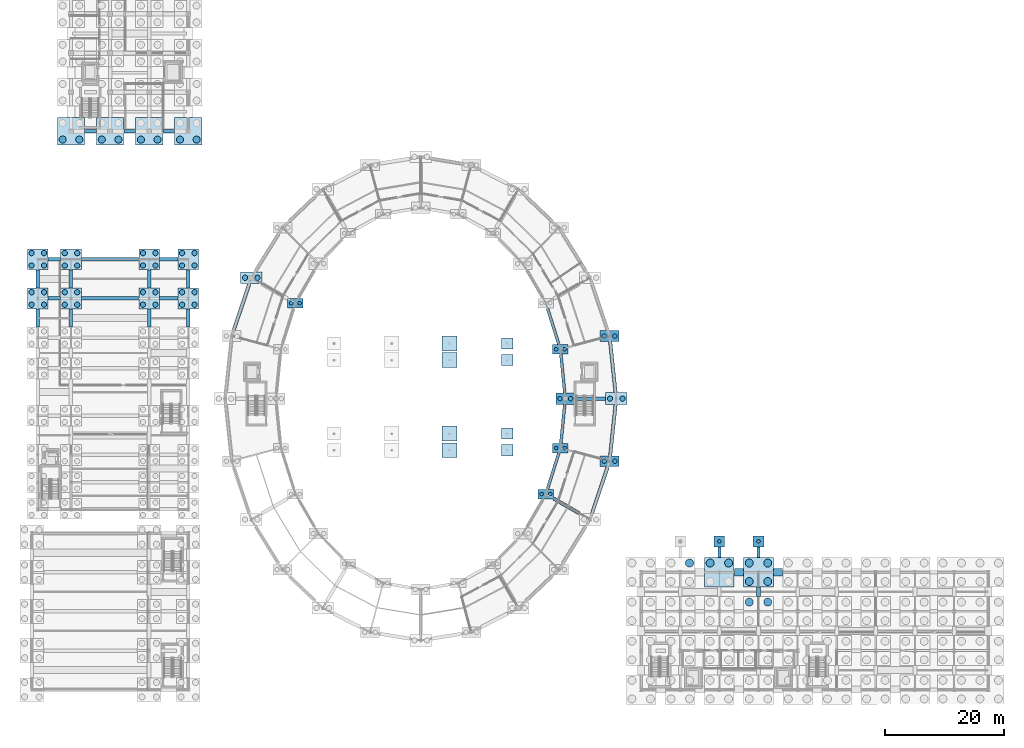
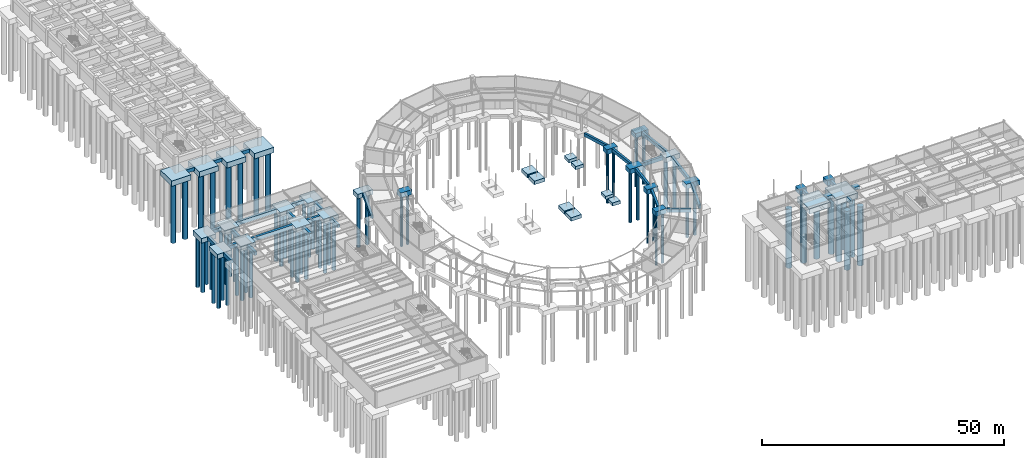
# One storey, part 4 of 58: 69 piles, 65 footings.
"""IFC4 building model written with IfcOpenShell, lengths in metres."""

from ifc_helpers import new_model, si_unit, direction, frame, origin, origin_2d, place, context, subcontext, project, spatial, rectangle, circle, extrude, material, material_profile, profile_set, type_object, element, save


model = new_model("IFC4")

# Units and contexts
model_context = context("Model", 3, precision=1e-05, world=origin(), true_north=direction((0.0, 1.0)))
body_context = subcontext(model_context, "Body", "Model", "MODEL_VIEW")
ifc_project = project(units=[si_unit("LENGTHUNIT", "METRE"), si_unit("AREAUNIT", "SQUARE_METRE"), si_unit("VOLUMEUNIT", "CUBIC_METRE"), si_unit("PLANEANGLEUNIT", "RADIAN"), si_unit("MASSUNIT", "GRAM", prefix="KILO")], contexts=[model_context])

# Site, building, storey
site_placement = place(None, origin())
site = spatial("IfcSite", under=ifc_project, at=site_placement, CompositionType="ELEMENT")
building_placement = place(site_placement, origin())
building = spatial("IfcBuilding", under=site, at=building_placement, Name="Karori Crest Natural Sciences Institute", CompositionType="ELEMENT")
storey_placement = place(building_placement, frame((0.0, 0.0, -4.199951171875)))
storey = spatial("IfcBuildingStorey", under=building, at=storey_placement, Name="B1", CompositionType="ELEMENT", Elevation=-4.199951171875)

# Footings
ifc_material = material(Name="Concrete 40 MPa", Category="concrete")
footing_type_1 = type_object("IfcFootingType", Name="FT-01", PredefinedType="PILE_CAP", material=ifc_material)
for number, where, z_axis, x_axis, name in (
    (1, (116.800048828125, 25.800048828125, -1.2001953125), (0.0, 0.0, 1.0), (1.0, 0.0, 0.0), "Pile cap PC-0193"),
    (2, (123.39990234375, 25.800048828125, -1.2001953125), (0.0, 0.0, 1.0), (1.0, 0.0, 0.0), "Pile cap PC-0194"),
):
    element("IfcFooting", number, at=place(storey_placement, frame(where, z_axis=z_axis, x_axis=x_axis)), inside=storey, type_object=footing_type_1, Name=name, PredefinedType="PILE_CAP", context=body_context, shape_type="SweptSolid", body=[
        extrude(rectangle(XDim=1.800048828125, YDim=1.800048828125, at=origin_2d()), origin(), (0.0, 0.0, 1.0), 1.199951171875),
    ])
footing_type_2 = type_object("IfcFootingType", Name="FT-02", PredefinedType="PILE_CAP", material=ifc_material)
for number, where, z_axis, x_axis, name in (
    (3, (89.968505859375, 58.23388671875, -1.2001953125), (0.0, 0.0, 1.0), (1.0, 0.0, 0.0), "Pile cap PC-0004"),
    (4, (45.26904296875, 66.0, -1.2001953125), (0.0, 0.0, 1.0), (1.0, 0.0, 0.0), "Pile cap PC-0022"),
    (5, (87.531005859375, 33.800048828125, -1.2001953125), (0.0, 0.0, 1.0), (1.0, 0.0, 0.0), "Pile cap PC-0046"),
    (6, (89.968505859375, 41.56591796875, -1.2001953125), (0.0, 0.0, 1.0), (1.0, 0.0, 0.0), "Pile cap PC-0048"),
):
    element("IfcFooting", number, at=place(storey_placement, frame(where, z_axis=z_axis, x_axis=x_axis)), inside=storey, type_object=footing_type_2, Name=name, PredefinedType="PILE_CAP", context=body_context, shape_type="SweptSolid", body=[
        extrude(rectangle(XDim=2.60009765625, YDim=1.60009765625, at=origin_2d()), origin(), (0.0, 0.0, 1.0), 1.199951171875),
    ])
footing_type_3 = type_object("IfcFootingType", Name="FT-03", PredefinedType="PILE_CAP", material=ifc_material)
footing_1_placement = place(storey_placement, frame((90.800048828125, 49.89990234375, -1.2001953125), z_axis=(0.0, 0.0, 1.0), x_axis=(1.0, 0.0, 0.0)))
element("IfcFooting", 7, at=footing_1_placement, inside=storey, type_object=footing_type_3, Name="Pile cap PC-0002", PredefinedType="PILE_CAP", context=body_context, shape_type="SweptSolid", body=[
    extrude(rectangle(XDim=3.10009765625, YDim=1.89990234375, at=origin_2d()), origin(), (0.0, 0.0, 1.0), 1.199951171875),
])
footing_type_4 = type_object("IfcFootingType", Name="FT-04", PredefinedType="PILE_CAP", material=ifc_material)
for number, where, z_axis, x_axis, name in (
    (8, (1.800048828125, 66.800048828125, -1.2001953125), (0.0, 0.0, 1.0), (1.0, 0.0, 0.0), "Pile cap PC-0086"),
    (9, (1.800048828125, 73.39990234375, -1.2001953125), (0.0, 0.0, 1.0), (1.0, 0.0, 0.0), "Pile cap PC-0087"),
    (10, (7.39990234375, 66.800048828125, -1.2001953125), (0.0, 0.0, 1.0), (1.0, 0.0, 0.0), "Pile cap PC-0094"),
    (11, (7.39990234375, 73.39990234375, -1.2001953125), (0.0, 0.0, 1.0), (1.0, 0.0, 0.0), "Pile cap PC-0095"),
    (12, (20.60009765625, 66.800048828125, -1.2001953125), (0.0, 0.0, 1.0), (1.0, 0.0, 0.0), "Pile cap PC-0102"),
    (13, (20.60009765625, 73.39990234375, -1.2001953125), (0.0, 0.0, 1.0), (1.0, 0.0, 0.0), "Pile cap PC-0103"),
    (14, (27.199951171875, 66.800048828125, -1.2001953125), (0.0, 0.0, 1.0), (1.0, 0.0, 0.0), "Pile cap PC-0110"),
    (15, (27.199951171875, 73.39990234375, -1.2001953125), (0.0, 0.0, 1.0), (1.0, 0.0, 0.0), "Pile cap PC-0111"),
):
    element("IfcFooting", number, at=place(storey_placement, frame(where, z_axis=z_axis, x_axis=x_axis)), inside=storey, type_object=footing_type_4, Name=name, PredefinedType="PILE_CAP", context=body_context, shape_type="SweptSolid", body=[
        extrude(rectangle(XDim=3.5, YDim=3.5, at=origin_2d()), origin(), (0.0, 0.0, 1.0), 1.199951171875),
    ])
footing_type_5 = type_object("IfcFootingType", Name="FT-07", PredefinedType="PILE_CAP", material=ifc_material)
for number, where, z_axis, x_axis, name in (
    (16, (98.275634765625, 60.459716796875, -1.2001953125), (0.0, 0.0, 1.0), (1.0, 0.0, 0.0), "Pile cap PC-0003"),
    (17, (98.275634765625, 39.340087890625, -1.2001953125), (0.0, 0.0, 1.0), (1.0, 0.0, 0.0), "Pile cap PC-0047"),
):
    element("IfcFooting", number, at=place(storey_placement, frame(where, z_axis=z_axis, x_axis=x_axis)), inside=storey, type_object=footing_type_5, Name=name, PredefinedType="PILE_CAP", context=body_context, shape_type="SweptSolid", body=[
        extrude(rectangle(XDim=3.199951171875, YDim=1.800048828125, at=origin_2d()), origin(), (0.0, 0.0, 1.0), 1.199951171875),
    ])
footing_type_6 = type_object("IfcFootingType", Name="FT-08", PredefinedType="PILE_CAP", material=ifc_material)
for number, where, z_axis, x_axis, name in (
    (18, (99.39990234375, 49.89990234375, -1.2001953125), (0.0, 0.0, 1.0), (1.0, 0.0, 0.0), "Pile cap PC-0001"),
    (19, (37.8212890625, 70.300048828125, -1.2001953125), (0.0, 0.0, 1.0), (1.0, 0.0, 0.0), "Pile cap PC-0021"),
):
    element("IfcFooting", number, at=place(storey_placement, frame(where, z_axis=z_axis, x_axis=x_axis)), inside=storey, type_object=footing_type_6, Name=name, PredefinedType="PILE_CAP", context=body_context, shape_type="SweptSolid", body=[
        extrude(rectangle(XDim=3.60009765625, YDim=2.0, at=origin_2d()), origin(), (0.0, 0.0, 1.0), 1.199951171875),
    ])
footing_type_7 = type_object("IfcFootingType", Name="FT-11", PredefinedType="PILE_CAP", material=ifc_material)
for number, where, z_axis, x_axis, name in (
    (20, (7.39990234375, 95.0, -1.35009765625), (0.0, 0.0, 1.0), (1.0, 0.0, 0.0), "Pile cap PC-0112"),
    (21, (14.0, 95.0, -1.35009765625), (0.0, 0.0, 1.0), (1.0, 0.0, 0.0), "Pile cap PC-0123"),
    (22, (20.60009765625, 95.0, -1.35009765625), (0.0, 0.0, 1.0), (1.0, 0.0, 0.0), "Pile cap PC-0134"),
    (23, (27.199951171875, 95.0, -1.35009765625), (0.0, 0.0, 1.0), (1.0, 0.0, 0.0), "Pile cap PC-0145"),
):
    element("IfcFooting", number, at=place(storey_placement, frame(where, z_axis=z_axis, x_axis=x_axis)), inside=storey, type_object=footing_type_7, Name=name, PredefinedType="PILE_CAP", context=body_context, shape_type="SweptSolid", body=[
        extrude(rectangle(XDim=4.60009765625, YDim=4.60009765625, at=origin_2d()), origin(), (0.0, 0.0, 1.0), 1.35009765625),
    ])
footing_type_8 = type_object("IfcFootingType", Name="FT-12", PredefinedType="PILE_CAP", material=ifc_material)
for number, where, z_axis, x_axis, name in (
    (24, (116.800048828125, 20.60009765625, -1.35009765625), (0.0, 0.0, 1.0), (1.0, 0.0, 0.0), "Pile cap PC-0167"),
    (25, (123.39990234375, 20.60009765625, -1.35009765625), (0.0, 0.0, 1.0), (1.0, 0.0, 0.0), "Pile cap PC-0171"),
):
    element("IfcFooting", number, at=place(storey_placement, frame(where, z_axis=z_axis, x_axis=x_axis)), inside=storey, type_object=footing_type_8, Name=name, PredefinedType="PILE_CAP", context=body_context, shape_type="SweptSolid", body=[
        extrude(rectangle(XDim=5.0, YDim=5.0, at=origin_2d()), origin(), (0.0, 0.0, 1.0), 1.35009765625),
    ])
footing_type_9 = type_object("IfcFootingType", Name="FT-14", PredefinedType="PAD_FOOTING", material=ifc_material)
for number, where, z_axis, x_axis, name in (
    (26, (71.27001953125, 41.199951171875, -0.89990234375), (0.0, 0.0, 1.0), (1.0, 0.0, 0.0), "Pad footing PC-0053"),
    (27, (71.27001953125, 44.0, -0.89990234375), (0.0, 0.0, 1.0), (1.0, 0.0, 0.0), "Pad footing PC-0054"),
    (28, (71.27001953125, 56.39990234375, -0.89990234375), (0.0, 0.0, 1.0), (1.0, 0.0, 0.0), "Pad footing PC-0061"),
    (29, (71.27001953125, 59.199951171875, -0.89990234375), (0.0, 0.0, 1.0), (1.0, 0.0, 0.0), "Pad footing PC-0062"),
):
    element("IfcFooting", number, at=place(storey_placement, frame(where, z_axis=z_axis, x_axis=x_axis)), inside=storey, type_object=footing_type_9, Name=name, PredefinedType="PAD_FOOTING", context=body_context, shape_type="SweptSolid", body=[
        extrude(rectangle(XDim=2.5, YDim=2.5, at=origin_2d()), origin(), (0.0, 0.0, 1.0), 0.89990234375),
    ])
footing_type_10 = type_object("IfcFootingType", Name="FT-15", PredefinedType="PAD_FOOTING", material=ifc_material)
for number, where, z_axis, x_axis, name in (
    (30, (81.010009765625, 41.199951171875, -0.80029296875), (0.0, 0.0, 1.0), (1.0, 0.0, 0.0), "Pad footing PC-0055"),
    (31, (81.010009765625, 44.0, -0.80029296875), (0.0, 0.0, 1.0), (1.0, 0.0, 0.0), "Pad footing PC-0056"),
    (32, (81.010009765625, 56.39990234375, -0.80029296875), (0.0, 0.0, 1.0), (1.0, 0.0, 0.0), "Pad footing PC-0063"),
    (33, (81.010009765625, 59.199951171875, -0.80029296875), (0.0, 0.0, 1.0), (1.0, 0.0, 0.0), "Pad footing PC-0064"),
):
    element("IfcFooting", number, at=place(storey_placement, frame(where, z_axis=z_axis, x_axis=x_axis)), inside=storey, type_object=footing_type_10, Name=name, PredefinedType="PAD_FOOTING", context=body_context, shape_type="SweptSolid", body=[
        extrude(rectangle(XDim=1.89990234375, YDim=1.89990234375, at=origin_2d()), origin(), (0.0, 0.0, 1.0), 0.800048828125),
    ])
footing_type_11 = type_object("IfcFootingType", Name="FT-16", PredefinedType="FOOTING_BEAM", material=ifc_material)
footing_2_placement = place(storey_placement, frame((98.83251953125, 55.22998046875, -0.89990234375), z_axis=(0.0, 0.0, 1.0), x_axis=(-0.105880529632, 0.994378858104, 0.0)))
element("IfcFooting", 34, at=footing_2_placement, inside=storey, type_object=footing_type_11, Name="Ground beam FB-0001", PredefinedType="FOOTING_BEAM", context=body_context, shape_type="SweptSolid", body=[
    extrude(rectangle(XDim=8.61279296875, YDim=0.60009765625, at=origin_2d()), origin(), (0.0, 0.0, 1.0), 0.89990234375),
])
footing_3_placement = place(storey_placement, frame((94.97509765625, 49.89990234375, -0.89990234375), z_axis=(0.0, 0.0, 1.0), x_axis=(1.0, 0.0, 0.0)))
element("IfcFooting", 35, at=footing_3_placement, inside=storey, type_object=footing_type_11, Name="Ground beam FB-0003", PredefinedType="FOOTING_BEAM", context=body_context, shape_type="SweptSolid", body=[
    extrude(rectangle(XDim=5.214111328125, YDim=0.60009765625, at=origin_2d()), origin(), (0.0, 0.0, 1.0), 0.89990234375),
])
for number, where, z_axis, x_axis, name in (
    (36, (36.156005859375, 65.329833984375, -0.89990234375), (0.0, 0.0, 1.0), (0.317678692677, 0.948198422388, 0.0), "Ground beam FB-0026"),
    (37, (96.64404296875, 34.47021484375, -0.89990234375), (0.0, 0.0, 1.0), (0.317678692677, 0.948198422388, 0.0), "Ground beam FB-0056"),
):
    element("IfcFooting", number, at=place(storey_placement, frame(where, z_axis=z_axis, x_axis=x_axis)), inside=storey, type_object=footing_type_11, Name=name, PredefinedType="FOOTING_BEAM", context=body_context, shape_type="SweptSolid", body=[
        extrude(rectangle(XDim=8.13720703125, YDim=0.60009765625, at=origin_2d()), origin(), (0.0, 0.0, 1.0), 0.89990234375),
    ])
footing_4_placement = place(storey_placement, frame((91.02294921875, 31.783935546875, -0.89990234375), z_axis=(0.0, 0.0, 1.0), x_axis=(-0.866024531118, 0.500001511499, 0.0)))
element("IfcFooting", 38, at=footing_4_placement, inside=storey, type_object=footing_type_11, Name="Ground beam FB-0058", PredefinedType="FOOTING_BEAM", context=body_context, shape_type="SweptSolid", body=[
    extrude(rectangle(XDim=4.983642578125, YDim=0.60009765625, at=origin_2d()), origin(), (0.0, 0.0, 1.0), 0.89990234375),
])
footing_5_placement = place(storey_placement, frame((98.83251953125, 44.570068359375, -0.89990234375), z_axis=(0.0, 0.0, 1.0), x_axis=(0.105880529632, 0.994378858104, 0.0)))
element("IfcFooting", 39, at=footing_5_placement, inside=storey, type_object=footing_type_11, Name="Ground beam FB-0059", PredefinedType="FOOTING_BEAM", context=body_context, shape_type="SweptSolid", body=[
    extrude(rectangle(XDim=8.61279296875, YDim=0.60009765625, at=origin_2d()), origin(), (0.0, 0.0, 1.0), 0.89990234375),
])
footing_6_placement = place(storey_placement, frame((1.800048828125, 63.4951171875, -0.89990234375), z_axis=(0.0, 0.0, 1.0), x_axis=(0.0, 1.0, 0.0)))
element("IfcFooting", 40, at=footing_6_placement, inside=storey, type_object=footing_type_11, Name="Ground beam FB-0092", PredefinedType="FOOTING_BEAM", context=body_context, shape_type="SweptSolid", body=[
    extrude(rectangle(XDim=3.073974609375, YDim=0.60009765625, at=origin_2d()), origin(), (0.0, 0.0, 1.0), 0.89990234375),
])
footing_7_placement = place(storey_placement, frame((4.60009765625, 66.800048828125, -0.89990234375), z_axis=(0.0, 0.0, 1.0), x_axis=(1.0, 0.0, 0.0)))
element("IfcFooting", 41, at=footing_7_placement, inside=storey, type_object=footing_type_11, Name="Ground beam FB-0093", PredefinedType="FOOTING_BEAM", context=body_context, shape_type="SweptSolid", body=[
    extrude(rectangle(XDim=2.083984375, YDim=0.60009765625, at=origin_2d()), origin(), (0.0, 0.0, 1.0), 0.89990234375),
])
footing_8_placement = place(storey_placement, frame((1.800048828125, 70.10009765625, -0.89990234375), z_axis=(0.0, 0.0, 1.0), x_axis=(0.0, 1.0, 0.0)))
element("IfcFooting", 42, at=footing_8_placement, inside=storey, type_object=footing_type_11, Name="Ground beam FB-0094", PredefinedType="FOOTING_BEAM", context=body_context, shape_type="SweptSolid", body=[
    extrude(rectangle(XDim=3.06396484375, YDim=0.60009765625, at=origin_2d()), origin(), (0.0, 0.0, 1.0), 0.89990234375),
])
footing_9_placement = place(storey_placement, frame((4.60009765625, 73.39990234375, -0.89990234375), z_axis=(0.0, 0.0, 1.0), x_axis=(1.0, 0.0, 0.0)))
element("IfcFooting", 43, at=footing_9_placement, inside=storey, type_object=footing_type_11, Name="Ground beam FB-0095", PredefinedType="FOOTING_BEAM", context=body_context, shape_type="SweptSolid", body=[
    extrude(rectangle(XDim=2.083984375, YDim=0.60009765625, at=origin_2d()), origin(), (0.0, 0.0, 1.0), 0.89990234375),
])
footing_10_placement = place(storey_placement, frame((7.39990234375, 63.4951171875, -0.89990234375), z_axis=(0.0, 0.0, 1.0), x_axis=(0.0, 1.0, 0.0)))
element("IfcFooting", 44, at=footing_10_placement, inside=storey, type_object=footing_type_11, Name="Ground beam FB-0105", PredefinedType="FOOTING_BEAM", context=body_context, shape_type="SweptSolid", body=[
    extrude(rectangle(XDim=3.073974609375, YDim=0.60009765625, at=origin_2d()), origin(), (0.0, 0.0, 1.0), 0.89990234375),
])
footing_11_placement = place(storey_placement, frame((14.0, 66.800048828125, -0.89990234375), z_axis=(0.0, 0.0, 1.0), x_axis=(1.0, 0.0, 0.0)))
element("IfcFooting", 45, at=footing_11_placement, inside=storey, type_object=footing_type_11, Name="Ground beam FB-0106", PredefinedType="FOOTING_BEAM", context=body_context, shape_type="SweptSolid", body=[
    extrude(rectangle(XDim=9.6640625, YDim=0.60009765625, at=origin_2d()), origin(), (0.0, 0.0, 1.0), 0.89990234375),
])
footing_12_placement = place(storey_placement, frame((7.39990234375, 70.10009765625, -0.89990234375), z_axis=(0.0, 0.0, 1.0), x_axis=(0.0, 1.0, 0.0)))
element("IfcFooting", 46, at=footing_12_placement, inside=storey, type_object=footing_type_11, Name="Ground beam FB-0107", PredefinedType="FOOTING_BEAM", context=body_context, shape_type="SweptSolid", body=[
    extrude(rectangle(XDim=3.06396484375, YDim=0.60009765625, at=origin_2d()), origin(), (0.0, 0.0, 1.0), 0.89990234375),
])
footing_13_placement = place(storey_placement, frame((14.0, 73.39990234375, -0.89990234375), z_axis=(0.0, 0.0, 1.0), x_axis=(1.0, 0.0, 0.0)))
element("IfcFooting", 47, at=footing_13_placement, inside=storey, type_object=footing_type_11, Name="Ground beam FB-0108", PredefinedType="FOOTING_BEAM", context=body_context, shape_type="SweptSolid", body=[
    extrude(rectangle(XDim=9.6640625, YDim=0.60009765625, at=origin_2d()), origin(), (0.0, 0.0, 1.0), 0.89990234375),
])
footing_14_placement = place(storey_placement, frame((20.60009765625, 63.4951171875, -0.89990234375), z_axis=(0.0, 0.0, 1.0), x_axis=(0.0, 1.0, 0.0)))
element("IfcFooting", 48, at=footing_14_placement, inside=storey, type_object=footing_type_11, Name="Ground beam FB-0118", PredefinedType="FOOTING_BEAM", context=body_context, shape_type="SweptSolid", body=[
    extrude(rectangle(XDim=3.073974609375, YDim=0.60009765625, at=origin_2d()), origin(), (0.0, 0.0, 1.0), 0.89990234375),
])
for number, where, z_axis, x_axis, name in (
    (49, (23.89990234375, 66.800048828125, -0.89990234375), (0.0, 0.0, 1.0), (1.0, 0.0, 0.0), "Ground beam FB-0119"),
    (50, (20.60009765625, 70.10009765625, -0.89990234375), (0.0, 0.0, 1.0), (0.0, 1.0, 0.0), "Ground beam FB-0120"),
    (51, (23.89990234375, 73.39990234375, -0.89990234375), (0.0, 0.0, 1.0), (1.0, 0.0, 0.0), "Ground beam FB-0121"),
):
    element("IfcFooting", number, at=place(storey_placement, frame(where, z_axis=z_axis, x_axis=x_axis)), inside=storey, type_object=footing_type_11, Name=name, PredefinedType="FOOTING_BEAM", context=body_context, shape_type="SweptSolid", body=[
        extrude(rectangle(XDim=3.06396484375, YDim=0.60009765625, at=origin_2d()), origin(), (0.0, 0.0, 1.0), 0.89990234375),
    ])
footing_15_placement = place(storey_placement, frame((27.199951171875, 63.4951171875, -0.89990234375), z_axis=(0.0, 0.0, 1.0), x_axis=(0.0, 1.0, 0.0)))
element("IfcFooting", 52, at=footing_15_placement, inside=storey, type_object=footing_type_11, Name="Ground beam FB-0125", PredefinedType="FOOTING_BEAM", context=body_context, shape_type="SweptSolid", body=[
    extrude(rectangle(XDim=3.073974609375, YDim=0.60009765625, at=origin_2d()), origin(), (0.0, 0.0, 1.0), 0.89990234375),
])
footing_16_placement = place(storey_placement, frame((27.199951171875, 70.10009765625, -0.89990234375), z_axis=(0.0, 0.0, 1.0), x_axis=(0.0, 1.0, 0.0)))
element("IfcFooting", 53, at=footing_16_placement, inside=storey, type_object=footing_type_11, Name="Ground beam FB-0126", PredefinedType="FOOTING_BEAM", context=body_context, shape_type="SweptSolid", body=[
    extrude(rectangle(XDim=3.06396484375, YDim=0.60009765625, at=origin_2d()), origin(), (0.0, 0.0, 1.0), 0.89990234375),
])
for number, where, z_axis, x_axis, name in (
    (54, (10.699951171875, 95.0, -0.89990234375), (0.0, 0.0, 1.0), (1.0, 0.0, 0.0), "Ground beam FB-0127"),
    (55, (17.300048828125, 95.0, -0.89990234375), (0.0, 0.0, 1.0), (1.0, 0.0, 0.0), "Ground beam FB-0138"),
    (56, (23.89990234375, 95.0, -0.89990234375), (0.0, 0.0, 1.0), (1.0, 0.0, 0.0), "Ground beam FB-0159"),
):
    element("IfcFooting", number, at=place(storey_placement, frame(where, z_axis=z_axis, x_axis=x_axis)), inside=storey, type_object=footing_type_11, Name=name, PredefinedType="FOOTING_BEAM", context=body_context, shape_type="SweptSolid", body=[
        extrude(rectangle(XDim=1.964111328125, YDim=0.60009765625, at=origin_2d()), origin(), (0.0, 0.0, 1.0), 0.89990234375),
    ])
footing_17_placement = place(storey_placement, frame((123.39990234375, 17.300048828125, -0.89990234375), z_axis=(0.0, 0.0, 1.0), x_axis=(0.0, 1.0, 0.0)))
element("IfcFooting", 57, at=footing_17_placement, inside=storey, type_object=footing_type_11, Name="Ground beam FB-0196", PredefinedType="FOOTING_BEAM", context=body_context, shape_type="SweptSolid", body=[
    extrude(rectangle(XDim=1.56396484375, YDim=0.60009765625, at=origin_2d()), origin(), (0.0, 0.0, 1.0), 0.89990234375),
])
footing_type_12 = type_object("IfcFootingType", Name="FT-17", PredefinedType="FOOTING_BEAM", material=ifc_material)
footing_18_placement = place(storey_placement, frame((90.376708984375, 54.14208984375, -0.80029296875), z_axis=(0.0, 0.0, 1.0), x_axis=(-0.09926764862, 0.995060768967, 0.0)))
element("IfcFooting", 58, at=footing_18_placement, inside=storey, type_object=footing_type_12, Name="Ground beam FB-0002", PredefinedType="FOOTING_BEAM", context=body_context, shape_type="SweptSolid", body=[
    extrude(rectangle(XDim=6.54052734375, YDim=0.5, at=origin_2d()), origin(), (0.0, 0.0, 1.0), 0.800048828125),
])
for number, where, z_axis, x_axis, name in (
    (59, (88.749755859375, 62.116943359375, -0.80029296875), (0.0, 0.0, 1.0), (-0.299475447203, 0.954104007183, 0.0), "Ground beam FB-0005"),
    (60, (88.749755859375, 37.68310546875, -0.80029296875), (0.0, 0.0, 1.0), (0.299475447203, 0.954104007183, 0.0), "Ground beam FB-0057"),
):
    element("IfcFooting", number, at=place(storey_placement, frame(where, z_axis=z_axis, x_axis=x_axis)), inside=storey, type_object=footing_type_12, Name=name, PredefinedType="FOOTING_BEAM", context=body_context, shape_type="SweptSolid", body=[
        extrude(rectangle(XDim=6.285888671875, YDim=0.5, at=origin_2d()), origin(), (0.0, 0.0, 1.0), 0.800048828125),
    ])
footing_19_placement = place(storey_placement, frame((90.376708984375, 45.657958984375, -0.80029296875), z_axis=(0.0, 0.0, 1.0), x_axis=(0.09926764862, 0.995060768967, 0.0)))
element("IfcFooting", 61, at=footing_19_placement, inside=storey, type_object=footing_type_12, Name="Ground beam FB-0060", PredefinedType="FOOTING_BEAM", context=body_context, shape_type="SweptSolid", body=[
    extrude(rectangle(XDim=6.54052734375, YDim=0.5, at=origin_2d()), origin(), (0.0, 0.0, 1.0), 0.800048828125),
])
for number, where, z_axis, x_axis, name in (
    (62, (116.800048828125, 24.0, -0.80029296875), (0.0, 0.0, 1.0), (0.0, 1.0, 0.0), "Ground beam FB-0223"),
    (63, (123.39990234375, 24.0, -0.80029296875), (0.0, 0.0, 1.0), (0.0, 1.0, 0.0), "Ground beam FB-0224"),
):
    element("IfcFooting", number, at=place(storey_placement, frame(where, z_axis=z_axis, x_axis=x_axis)), inside=storey, type_object=footing_type_12, Name=name, PredefinedType="FOOTING_BEAM", context=body_context, shape_type="SweptSolid", body=[
        extrude(rectangle(XDim=1.763916015625, YDim=0.5, at=origin_2d()), origin(), (0.0, 0.0, 1.0), 0.800048828125),
    ])
footing_type_13 = type_object("IfcFootingType", Name="FT-19", PredefinedType="STRIP_FOOTING", material=ifc_material)
for number, where, z_axis, x_axis, name in (
    (64, (120.10009765625, 20.60009765625, -0.7001953125), (0.0, 0.0, 1.0), (1.0, 0.0, 0.0), "Strip footing SF-0010"),
    (65, (126.699951171875, 20.60009765625, -0.7001953125), (0.0, 0.0, 1.0), (1.0, 0.0, 0.0), "Strip footing SF-0011"),
):
    element("IfcFooting", number, at=place(storey_placement, frame(where, z_axis=z_axis, x_axis=x_axis)), inside=storey, type_object=footing_type_13, Name=name, PredefinedType="STRIP_FOOTING", context=body_context, shape_type="SweptSolid", body=[
        extrude(rectangle(XDim=1.56396484375, YDim=1.199951171875, at=origin_2d()), origin(), (0.0, 0.0, 1.0), 0.699951171875),
    ])

# Piles
ifc_material_profile_1 = material_profile(ifc_material, circle(Radius=0.300048828125, at=origin_2d()), Name="PILE600")
ifc_profile_set_1 = profile_set([ifc_material_profile_1], Name="Concrete 40 MPa")
pile_type_1 = type_object("IfcPileType", Name="PT-01", PredefinedType="BORED", material=ifc_profile_set_1)
for number, where, z_axis, x_axis, name in (
    (66, (89.24853515625, 58.23388671875, -1.10009765625), (0.0, 0.0, -1.0), (1.0, 0.0, 0.0), "Bored pile PL-0007"),
    (67, (90.688720703125, 58.23388671875, -1.10009765625), (0.0, 0.0, -1.0), (1.0, 0.0, 0.0), "Bored pile PL-0008"),
    (68, (44.549072265625, 66.0, -1.10009765625), (0.0, 0.0, -1.0), (1.0, 0.0, 0.0), "Bored pile PL-0043"),
    (69, (45.989013671875, 66.0, -1.10009765625), (0.0, 0.0, -1.0), (1.0, 0.0, 0.0), "Bored pile PL-0044"),
    (70, (86.81103515625, 33.800048828125, -1.10009765625), (0.0, 0.0, -1.0), (1.0, 0.0, 0.0), "Bored pile PL-0091"),
    (71, (88.2509765625, 33.800048828125, -1.10009765625), (0.0, 0.0, -1.0), (1.0, 0.0, 0.0), "Bored pile PL-0092"),
    (72, (89.24853515625, 41.56591796875, -1.10009765625), (0.0, 0.0, -1.0), (1.0, 0.0, 0.0), "Bored pile PL-0095"),
    (73, (90.688720703125, 41.56591796875, -1.10009765625), (0.0, 0.0, -1.0), (1.0, 0.0, 0.0), "Bored pile PL-0096"),
    (74, (116.800048828125, 25.800048828125, -1.10009765625), (0.0, 0.0, -1.0), (1.0, 0.0, 0.0), "Bored pile PL-0622"),
    (75, (123.39990234375, 25.800048828125, -1.10009765625), (0.0, 0.0, -1.0), (1.0, 0.0, 0.0), "Bored pile PL-0623"),
):
    element("IfcPile", number, at=place(storey_placement, frame(where, z_axis=z_axis, x_axis=x_axis)), inside=storey, type_object=pile_type_1, Name=name, PredefinedType="BORED", context=body_context, shape_type="SweptSolid", body=[
        extrude(circle(Radius=0.300048828125, at=origin_2d()), origin(), (0.0, 0.0, 1.0), 12.89990234375),
    ])
ifc_material_profile_2 = material_profile(ifc_material, circle(Radius=0.375, at=origin_2d()), Name="PILE750")
ifc_profile_set_2 = profile_set([ifc_material_profile_2], Name="Concrete 40 MPa")
pile_type_2 = type_object("IfcPileType", Name="PT-02", PredefinedType="BORED", material=ifc_profile_set_2)
for number, where, z_axis, x_axis, name in (
    (76, (89.89990234375, 49.89990234375, -1.10009765625), (0.0, 0.0, -1.0), (1.0, 0.0, 0.0), "Bored pile PL-0003"),
    (77, (91.699951171875, 49.89990234375, -1.10009765625), (0.0, 0.0, -1.0), (1.0, 0.0, 0.0), "Bored pile PL-0004"),
    (78, (97.37548828125, 60.459716796875, -1.10009765625), (0.0, 0.0, -1.0), (1.0, 0.0, 0.0), "Bored pile PL-0005"),
    (79, (99.175537109375, 60.459716796875, -1.10009765625), (0.0, 0.0, -1.0), (1.0, 0.0, 0.0), "Bored pile PL-0006"),
    (80, (97.37548828125, 39.340087890625, -1.10009765625), (0.0, 0.0, -1.0), (1.0, 0.0, 0.0), "Bored pile PL-0093"),
    (81, (99.175537109375, 39.340087890625, -1.10009765625), (0.0, 0.0, -1.0), (1.0, 0.0, 0.0), "Bored pile PL-0094"),
):
    element("IfcPile", number, at=place(storey_placement, frame(where, z_axis=z_axis, x_axis=x_axis)), inside=storey, type_object=pile_type_2, Name=name, PredefinedType="BORED", context=body_context, shape_type="SweptSolid", body=[
        extrude(circle(Radius=0.375, at=origin_2d()), origin(), (0.0, 0.0, 1.0), 12.89990234375),
    ])
ifc_material_profile_3 = material_profile(ifc_material, circle(Radius=0.449951171875, at=origin_2d()), Name="PILE900")
ifc_profile_set_3 = profile_set([ifc_material_profile_3], Name="Concrete 40 MPa")
pile_type_3 = type_object("IfcPileType", Name="PT-03", PredefinedType="BORED", material=ifc_profile_set_3)
for number, where, z_axis, x_axis, name in (
    (82, (98.35009765625, 49.89990234375, -1.10009765625), (0.0, 0.0, -1.0), (1.0, 0.0, 0.0), "Bored pile PL-0001"),
    (83, (100.449951171875, 49.89990234375, -1.10009765625), (0.0, 0.0, -1.0), (1.0, 0.0, 0.0), "Bored pile PL-0002"),
    (84, (36.771240234375, 70.300048828125, -1.10009765625), (0.0, 0.0, -1.0), (1.0, 0.0, 0.0), "Bored pile PL-0041"),
    (85, (38.87109375, 70.300048828125, -1.10009765625), (0.0, 0.0, -1.0), (1.0, 0.0, 0.0), "Bored pile PL-0042"),
    (86, (0.75, 65.75, -1.10009765625), (0.0, 0.0, -1.0), (1.0, 0.0, 0.0), "Bored pile PL-0181"),
    (87, (2.85009765625, 65.75, -1.10009765625), (0.0, 0.0, -1.0), (1.0, 0.0, 0.0), "Bored pile PL-0182"),
    (88, (0.75, 67.85009765625, -1.10009765625), (0.0, 0.0, -1.0), (1.0, 0.0, 0.0), "Bored pile PL-0183"),
    (89, (2.85009765625, 67.85009765625, -1.10009765625), (0.0, 0.0, -1.0), (1.0, 0.0, 0.0), "Bored pile PL-0184"),
    (90, (0.75, 72.35009765625, -1.10009765625), (0.0, 0.0, -1.0), (1.0, 0.0, 0.0), "Bored pile PL-0185"),
    (91, (2.85009765625, 72.35009765625, -1.10009765625), (0.0, 0.0, -1.0), (1.0, 0.0, 0.0), "Bored pile PL-0186"),
    (92, (0.75, 74.449951171875, -1.10009765625), (0.0, 0.0, -1.0), (1.0, 0.0, 0.0), "Bored pile PL-0187"),
    (93, (2.85009765625, 74.449951171875, -1.10009765625), (0.0, 0.0, -1.0), (1.0, 0.0, 0.0), "Bored pile PL-0188"),
    (94, (6.35009765625, 65.75, -1.10009765625), (0.0, 0.0, -1.0), (1.0, 0.0, 0.0), "Bored pile PL-0213"),
    (95, (8.449951171875, 65.75, -1.10009765625), (0.0, 0.0, -1.0), (1.0, 0.0, 0.0), "Bored pile PL-0214"),
    (96, (6.35009765625, 67.85009765625, -1.10009765625), (0.0, 0.0, -1.0), (1.0, 0.0, 0.0), "Bored pile PL-0215"),
    (97, (8.449951171875, 67.85009765625, -1.10009765625), (0.0, 0.0, -1.0), (1.0, 0.0, 0.0), "Bored pile PL-0216"),
    (98, (6.35009765625, 72.35009765625, -1.10009765625), (0.0, 0.0, -1.0), (1.0, 0.0, 0.0), "Bored pile PL-0217"),
    (99, (8.449951171875, 72.35009765625, -1.10009765625), (0.0, 0.0, -1.0), (1.0, 0.0, 0.0), "Bored pile PL-0218"),
    (100, (6.35009765625, 74.449951171875, -1.10009765625), (0.0, 0.0, -1.0), (1.0, 0.0, 0.0), "Bored pile PL-0219"),
    (101, (8.449951171875, 74.449951171875, -1.10009765625), (0.0, 0.0, -1.0), (1.0, 0.0, 0.0), "Bored pile PL-0220"),
    (102, (19.550048828125, 65.75, -1.10009765625), (0.0, 0.0, -1.0), (1.0, 0.0, 0.0), "Bored pile PL-0245"),
    (103, (21.64990234375, 65.75, -1.10009765625), (0.0, 0.0, -1.0), (1.0, 0.0, 0.0), "Bored pile PL-0246"),
    (104, (19.550048828125, 67.85009765625, -1.10009765625), (0.0, 0.0, -1.0), (1.0, 0.0, 0.0), "Bored pile PL-0247"),
    (105, (21.64990234375, 67.85009765625, -1.10009765625), (0.0, 0.0, -1.0), (1.0, 0.0, 0.0), "Bored pile PL-0248"),
    (106, (19.550048828125, 72.35009765625, -1.10009765625), (0.0, 0.0, -1.0), (1.0, 0.0, 0.0), "Bored pile PL-0249"),
    (107, (21.64990234375, 72.35009765625, -1.10009765625), (0.0, 0.0, -1.0), (1.0, 0.0, 0.0), "Bored pile PL-0250"),
    (108, (19.550048828125, 74.449951171875, -1.10009765625), (0.0, 0.0, -1.0), (1.0, 0.0, 0.0), "Bored pile PL-0251"),
    (109, (21.64990234375, 74.449951171875, -1.10009765625), (0.0, 0.0, -1.0), (1.0, 0.0, 0.0), "Bored pile PL-0252"),
    (110, (26.14990234375, 65.75, -1.10009765625), (0.0, 0.0, -1.0), (1.0, 0.0, 0.0), "Bored pile PL-0277"),
    (111, (28.25, 65.75, -1.10009765625), (0.0, 0.0, -1.0), (1.0, 0.0, 0.0), "Bored pile PL-0278"),
    (112, (26.14990234375, 67.85009765625, -1.10009765625), (0.0, 0.0, -1.0), (1.0, 0.0, 0.0), "Bored pile PL-0279"),
    (113, (28.25, 67.85009765625, -1.10009765625), (0.0, 0.0, -1.0), (1.0, 0.0, 0.0), "Bored pile PL-0280"),
    (114, (26.14990234375, 72.35009765625, -1.10009765625), (0.0, 0.0, -1.0), (1.0, 0.0, 0.0), "Bored pile PL-0281"),
    (115, (28.25, 72.35009765625, -1.10009765625), (0.0, 0.0, -1.0), (1.0, 0.0, 0.0), "Bored pile PL-0282"),
    (116, (26.14990234375, 74.449951171875, -1.10009765625), (0.0, 0.0, -1.0), (1.0, 0.0, 0.0), "Bored pile PL-0283"),
    (117, (28.25, 74.449951171875, -1.10009765625), (0.0, 0.0, -1.0), (1.0, 0.0, 0.0), "Bored pile PL-0284"),
):
    element("IfcPile", number, at=place(storey_placement, frame(where, z_axis=z_axis, x_axis=x_axis)), inside=storey, type_object=pile_type_3, Name=name, PredefinedType="BORED", context=body_context, shape_type="SweptSolid", body=[
        extrude(circle(Radius=0.449951171875, at=origin_2d()), origin(), (0.0, 0.0, 1.0), 12.89990234375),
    ])
ifc_material_profile_4 = material_profile(ifc_material, circle(Radius=0.60009765625, at=origin_2d()), Name="PILE1200")
ifc_profile_set_4 = profile_set([ifc_material_profile_4], Name="Concrete 40 MPa")
pile_type_4 = type_object("IfcPileType", Name="PT-05", PredefinedType="BORED", material=ifc_profile_set_4)
for number, where, z_axis, x_axis, name in (
    (118, (6.0, 93.60009765625, -1.25), (0.0, 0.0, -1.0), (1.0, 0.0, 0.0), "Bored pile PL-0285"),
    (119, (8.800048828125, 93.60009765625, -1.25), (0.0, 0.0, -1.0), (1.0, 0.0, 0.0), "Bored pile PL-0286"),
    (120, (12.60009765625, 93.60009765625, -1.25), (0.0, 0.0, -1.0), (1.0, 0.0, 0.0), "Bored pile PL-0329"),
    (121, (15.39990234375, 93.60009765625, -1.25), (0.0, 0.0, -1.0), (1.0, 0.0, 0.0), "Bored pile PL-0330"),
    (122, (19.199951171875, 93.60009765625, -1.25), (0.0, 0.0, -1.0), (1.0, 0.0, 0.0), "Bored pile PL-0373"),
    (123, (22.0, 93.60009765625, -1.25), (0.0, 0.0, -1.0), (1.0, 0.0, 0.0), "Bored pile PL-0374"),
    (124, (25.800048828125, 93.60009765625, -1.25), (0.0, 0.0, -1.0), (1.0, 0.0, 0.0), "Bored pile PL-0417"),
    (125, (28.60009765625, 93.60009765625, -1.25), (0.0, 0.0, -1.0), (1.0, 0.0, 0.0), "Bored pile PL-0418"),
):
    element("IfcPile", number, at=place(storey_placement, frame(where, z_axis=z_axis, x_axis=x_axis)), inside=storey, type_object=pile_type_4, Name=name, PredefinedType="BORED", context=body_context, shape_type="SweptSolid", body=[
        extrude(circle(Radius=0.60009765625, at=origin_2d()), origin(), (0.0, 0.0, 1.0), 14.89990234375),
    ])
ifc_material_profile_5 = material_profile(ifc_material, circle(Radius=0.675048828125, at=origin_2d()), Name="PILE1350")
ifc_profile_set_5 = profile_set([ifc_material_profile_5], Name="Concrete 40 MPa")
pile_type_5 = type_object("IfcPileType", Name="PT-06", PredefinedType="BORED", material=ifc_profile_set_5)
for number, where, z_axis, x_axis, name in (
    (126, (111.760009765625, 22.159912109375, -1.25), (0.0, 0.0, -1.0), (1.0, 0.0, 0.0), "Bored pile PL-0492"),
    (127, (115.239990234375, 22.159912109375, -1.25), (0.0, 0.0, -1.0), (1.0, 0.0, 0.0), "Bored pile PL-0507"),
    (128, (118.360107421875, 22.159912109375, -1.25), (0.0, 0.0, -1.0), (1.0, 0.0, 0.0), "Bored pile PL-0508"),
    (129, (121.840087890625, 15.56005859375, -1.25), (0.0, 0.0, -1.0), (1.0, 0.0, 0.0), "Bored pile PL-0519"),
    (130, (124.9599609375, 15.56005859375, -1.25), (0.0, 0.0, -1.0), (1.0, 0.0, 0.0), "Bored pile PL-0520"),
    (131, (121.840087890625, 19.0400390625, -1.25), (0.0, 0.0, -1.0), (1.0, 0.0, 0.0), "Bored pile PL-0521"),
    (132, (124.9599609375, 19.0400390625, -1.25), (0.0, 0.0, -1.0), (1.0, 0.0, 0.0), "Bored pile PL-0522"),
    (133, (121.840087890625, 22.159912109375, -1.25), (0.0, 0.0, -1.0), (1.0, 0.0, 0.0), "Bored pile PL-0523"),
    (134, (124.9599609375, 22.159912109375, -1.25), (0.0, 0.0, -1.0), (1.0, 0.0, 0.0), "Bored pile PL-0524"),
):
    element("IfcPile", number, at=place(storey_placement, frame(where, z_axis=z_axis, x_axis=x_axis)), inside=storey, type_object=pile_type_5, Name=name, PredefinedType="BORED", context=body_context, shape_type="SweptSolid", body=[
        extrude(circle(Radius=0.675048828125, at=origin_2d()), origin(), (0.0, 0.0, 1.0), 14.89990234375),
    ])

save(model, "model.ifc")
